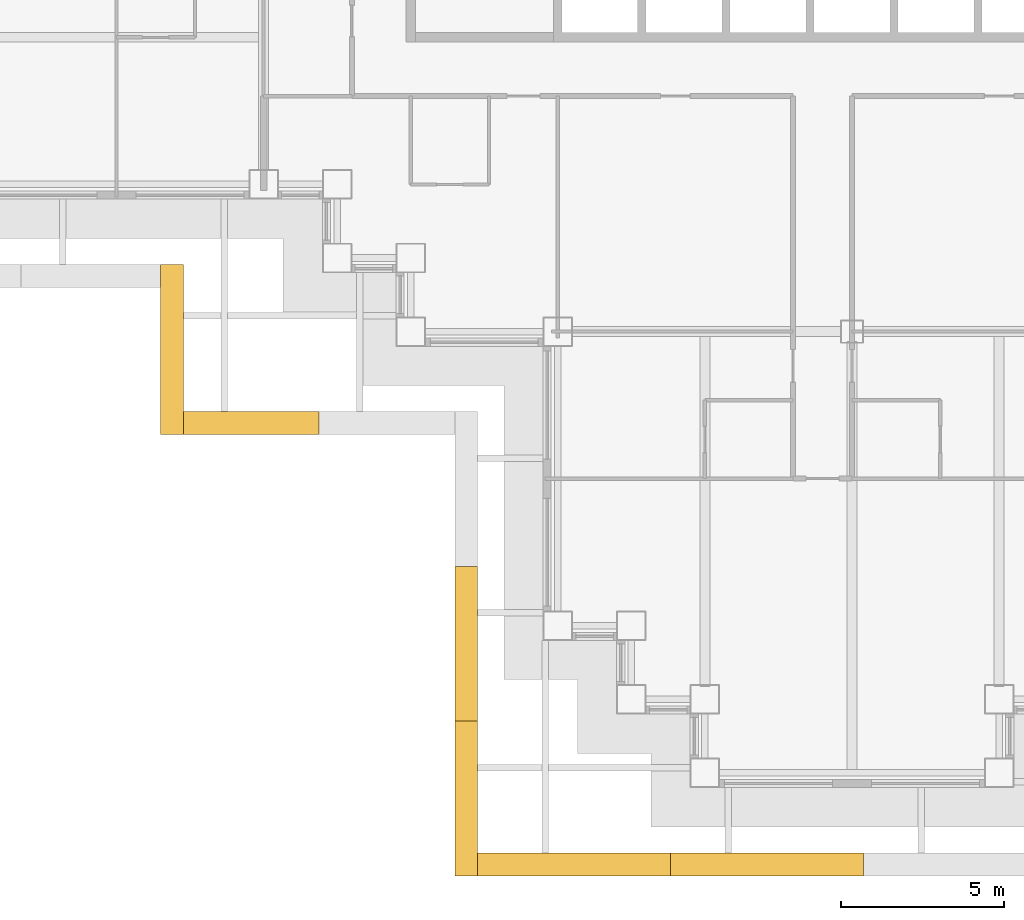
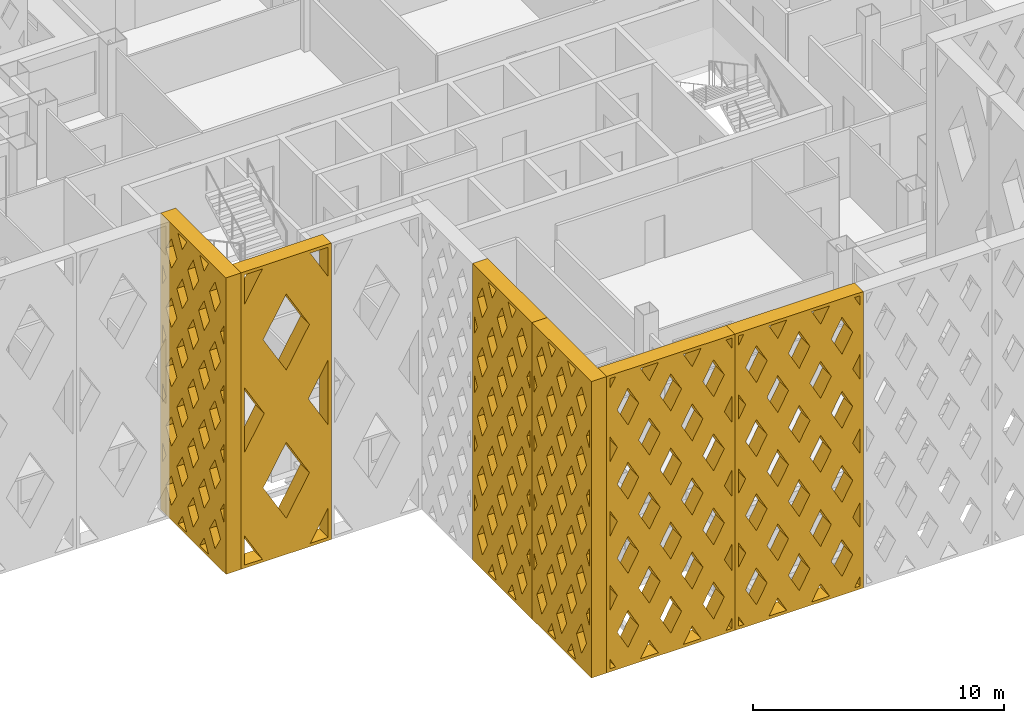
# One storey, part 13 of 21: 6 shading devices.
"""IFC4 building model written with IfcOpenShell, lengths in metres."""

from ifc_helpers import new_model, si_unit, direction, frame, origin, place, context, subcontext, project, spatial, polyline, outline, extrude, material, type_object, element, save


model = new_model("IFC4")

# Units and contexts
model_context = context("Model", 3, precision=1e-05, world=origin(), true_north=direction((0.0, 1.0)))
body_context = subcontext(model_context, "Body", "Model", "MODEL_VIEW")
ifc_project = project(units=[si_unit("LENGTHUNIT", "METRE"), si_unit("AREAUNIT", "SQUARE_METRE"), si_unit("VOLUMEUNIT", "CUBIC_METRE"), si_unit("PLANEANGLEUNIT", "RADIAN"), si_unit("MASSUNIT", "GRAM", prefix="KILO")], contexts=[model_context])

# Site, building, storey
site_placement = place(None, origin())
site = spatial("IfcSite", under=ifc_project, at=site_placement, CompositionType="ELEMENT")
building_placement = place(site_placement, origin())
building = spatial("IfcBuilding", under=site, at=building_placement, Name="Caravel Reach Hotel and Residences", CompositionType="ELEMENT")
storey_placement = place(building_placement, frame((0.0, 0.0, 115.199951171875)))
storey = spatial("IfcBuildingStorey", under=building, at=storey_placement, Name="L28", CompositionType="ELEMENT", Elevation=115.199951171875)

# Shading devices
ifc_material_1 = material(Name="Black powder-coated aluminium", Category="aluminium")
shading_device_type_1 = type_object("IfcShadingDeviceType", Name="Diamond lattice screen panel 4150 x 14400", PredefinedType="USERDEFINED", material=ifc_material_1)
shading_device_1_placement = place(storey_placement, frame((11.050048828125, 11.050048828125, 0.0), z_axis=(0.0, -1.0, 0.0), x_axis=(1.0, 0.0, 0.0)))
element("IfcShadingDevice", 1, at=shading_device_1_placement, inside=storey, type_object=shading_device_type_1, Name="Lattice screen L28-L31 20.1", ObjectType="SCREEN", PredefinedType="USERDEFINED", context=body_context, shape_type="SweptSolid", body=[
    extrude(outline(polyline([(0.0, 0.0), (4.14990234375, 0.0), (4.14990234375, 14.39990234375), (0.0, 14.39990234375), (0.0, 0.0)]), holes=[polyline([(0.97802734375, 0.14990234375), (0.14990234375, 1.586669921875), (0.14990234375, 0.14990234375), (0.97802734375, 0.14990234375)]), polyline([(1.064697265625, 7.199951171875), (0.14990234375, 8.786865234375), (0.14990234375, 5.61328125), (1.064697265625, 7.199951171875)]), polyline([(0.14990234375, 12.813232421875), (0.97802734375, 14.25), (0.14990234375, 14.25), (0.14990234375, 12.813232421875)]), polyline([(2.074951171875, 5.447021484375), (1.010498046875, 3.60009765625), (2.074951171875, 1.7529296875), (3.1396484375, 3.60009765625), (2.074951171875, 5.447021484375)]), polyline([(2.074951171875, 12.64697265625), (1.010498046875, 10.800048828125), (2.074951171875, 8.953125), (3.1396484375, 10.800048828125), (2.074951171875, 12.64697265625)]), polyline([(4.0, 1.586669921875), (3.171875, 0.14990234375), (4.0, 0.14990234375), (4.0, 1.586669921875)]), polyline([(3.08544921875, 7.199951171875), (4.0, 5.61328125), (4.0, 8.786865234375), (3.08544921875, 7.199951171875)]), polyline([(3.171875, 14.25), (4.0, 12.813232421875), (4.0, 14.25), (3.171875, 14.25)])]), origin(), (0.0, 0.0, 1.0), 0.699951171875),
])
ifc_material_2 = material(Name="Black powder-coated aluminium", Category="aluminium")
shading_device_type_2 = type_object("IfcShadingDeviceType", Name="Diamond lattice screen panel 4733 x 14400", PredefinedType="USERDEFINED", material=ifc_material_2)
shading_device_2_placement = place(storey_placement, frame((20.050048828125, 6.316650390625, 0.0), z_axis=(-1.0, 0.0, 0.0), x_axis=(0.0, -1.0, 0.0)))
element("IfcShadingDevice", 2, at=shading_device_2_placement, inside=storey, type_object=shading_device_type_2, Name="Lattice screen L28-L31 1.2", ObjectType="SCREEN", PredefinedType="USERDEFINED", context=body_context, shape_type="SweptSolid", body=[
    extrude(outline(polyline([(0.0, 0.0), (4.7333984375, 0.0), (4.7333984375, 14.39990234375), (0.0, 14.39990234375), (0.0, 0.0)]), holes=[polyline([(0.39892578125, 2.8798828125), (0.14990234375, 3.334228515625), (0.14990234375, 2.42578125), (0.39892578125, 2.8798828125)]), polyline([(0.39892578125, 5.760009765625), (0.14990234375, 6.21435546875), (0.14990234375, 5.3056640625), (0.39892578125, 5.760009765625)]), polyline([(0.39892578125, 8.639892578125), (0.14990234375, 9.09423828125), (0.14990234375, 8.185791015625), (0.39892578125, 8.639892578125)]), polyline([(0.39892578125, 11.52001953125), (0.14990234375, 11.974365234375), (0.14990234375, 11.065673828125), (0.39892578125, 11.52001953125)]), polyline([(0.788818359375, 2.16796875), (0.39013671875, 1.43994140625), (0.788818359375, 0.7119140625), (1.187744140625, 1.43994140625), (0.788818359375, 2.16796875)]), polyline([(0.788818359375, 5.048095703125), (0.39013671875, 4.320068359375), (0.788818359375, 3.592041015625), (1.187744140625, 4.320068359375), (0.788818359375, 5.048095703125)]), polyline([(0.788818359375, 7.927978515625), (0.39013671875, 7.199951171875), (0.788818359375, 6.471923828125), (1.187744140625, 7.199951171875), (0.788818359375, 7.927978515625)]), polyline([(0.788818359375, 10.80810546875), (0.39013671875, 10.080078125), (0.788818359375, 9.35205078125), (1.187744140625, 10.080078125), (0.788818359375, 10.80810546875)]), polyline([(0.788818359375, 13.68798828125), (0.39013671875, 12.9599609375), (0.788818359375, 12.23193359375), (1.187744140625, 12.9599609375), (0.788818359375, 13.68798828125)]), polyline([(1.577880859375, 0.72802734375), (1.260986328125, 0.14990234375), (1.89453125, 0.14990234375), (1.577880859375, 0.72802734375)]), polyline([(1.577880859375, 3.608154296875), (1.178955078125, 2.8798828125), (1.577880859375, 2.15185546875), (1.9765625, 2.8798828125), (1.577880859375, 3.608154296875)]), polyline([(1.577880859375, 6.488037109375), (1.178955078125, 5.760009765625), (1.577880859375, 5.031982421875), (1.9765625, 5.760009765625), (1.577880859375, 6.488037109375)]), polyline([(1.577880859375, 9.3681640625), (1.178955078125, 8.639892578125), (1.577880859375, 7.911865234375), (1.9765625, 8.639892578125), (1.577880859375, 9.3681640625)]), polyline([(1.577880859375, 12.248046875), (1.178955078125, 11.52001953125), (1.577880859375, 10.7919921875), (1.9765625, 11.52001953125), (1.577880859375, 12.248046875)]), polyline([(1.577880859375, 13.671875), (1.89453125, 14.25), (1.260986328125, 14.25), (1.577880859375, 13.671875)]), polyline([(2.36669921875, 2.16796875), (1.9677734375, 1.43994140625), (2.36669921875, 0.7119140625), (2.765625, 1.43994140625), (2.36669921875, 2.16796875)]), polyline([(2.36669921875, 5.048095703125), (1.9677734375, 4.320068359375), (2.36669921875, 3.592041015625), (2.765625, 4.320068359375), (2.36669921875, 5.048095703125)]), polyline([(2.36669921875, 7.927978515625), (1.9677734375, 7.199951171875), (2.36669921875, 6.471923828125), (2.765625, 7.199951171875), (2.36669921875, 7.927978515625)]), polyline([(2.36669921875, 10.80810546875), (1.9677734375, 10.080078125), (2.36669921875, 9.35205078125), (2.765625, 10.080078125), (2.36669921875, 10.80810546875)]), polyline([(2.36669921875, 13.68798828125), (1.9677734375, 12.9599609375), (2.36669921875, 12.23193359375), (2.765625, 12.9599609375), (2.36669921875, 13.68798828125)]), polyline([(3.155517578125, 0.72802734375), (2.8388671875, 0.14990234375), (3.47216796875, 0.14990234375), (3.155517578125, 0.72802734375)]), polyline([(3.155517578125, 3.608154296875), (2.756591796875, 2.8798828125), (3.155517578125, 2.15185546875), (3.554443359375, 2.8798828125), (3.155517578125, 3.608154296875)]), polyline([(3.155517578125, 6.488037109375), (2.756591796875, 5.760009765625), (3.155517578125, 5.031982421875), (3.554443359375, 5.760009765625), (3.155517578125, 6.488037109375)]), polyline([(3.155517578125, 9.3681640625), (2.756591796875, 8.639892578125), (3.155517578125, 7.911865234375), (3.554443359375, 8.639892578125), (3.155517578125, 9.3681640625)]), polyline([(3.155517578125, 12.248046875), (2.756591796875, 11.52001953125), (3.155517578125, 10.7919921875), (3.554443359375, 11.52001953125), (3.155517578125, 12.248046875)]), polyline([(3.155517578125, 13.671875), (3.47216796875, 14.25), (2.8388671875, 14.25), (3.155517578125, 13.671875)]), polyline([(3.9443359375, 2.16796875), (3.545654296875, 1.43994140625), (3.9443359375, 0.7119140625), (4.34326171875, 1.43994140625), (3.9443359375, 2.16796875)]), polyline([(3.9443359375, 5.048095703125), (3.545654296875, 4.320068359375), (3.9443359375, 3.592041015625), (4.34326171875, 4.320068359375), (3.9443359375, 5.048095703125)]), polyline([(3.9443359375, 7.927978515625), (3.545654296875, 7.199951171875), (3.9443359375, 6.471923828125), (4.34326171875, 7.199951171875), (3.9443359375, 7.927978515625)]), polyline([(3.9443359375, 10.80810546875), (3.545654296875, 10.080078125), (3.9443359375, 9.35205078125), (4.34326171875, 10.080078125), (3.9443359375, 10.80810546875)]), polyline([(3.9443359375, 13.68798828125), (3.545654296875, 12.9599609375), (3.9443359375, 12.23193359375), (4.34326171875, 12.9599609375), (3.9443359375, 13.68798828125)]), polyline([(4.33447265625, 2.8798828125), (4.583251953125, 2.42578125), (4.583251953125, 3.334228515625), (4.33447265625, 2.8798828125)]), polyline([(4.33447265625, 5.760009765625), (4.583251953125, 5.3056640625), (4.583251953125, 6.21435546875), (4.33447265625, 5.760009765625)]), polyline([(4.33447265625, 8.639892578125), (4.583251953125, 8.185791015625), (4.583251953125, 9.09423828125), (4.33447265625, 8.639892578125)]), polyline([(4.33447265625, 11.52001953125), (4.583251953125, 11.065673828125), (4.583251953125, 11.974365234375), (4.33447265625, 11.52001953125)])]), origin(), (0.0, 0.0, 1.0), 0.699951171875),
])
shading_device_3_placement = place(storey_placement, frame((20.050048828125, 1.583251953125, 0.0), z_axis=(-1.0, 0.0, 0.0), x_axis=(0.0, -1.0, 0.0)))
element("IfcShadingDevice", 3, at=shading_device_3_placement, inside=storey, type_object=shading_device_type_2, Name="Lattice screen L28-L31 1.3", ObjectType="SCREEN", PredefinedType="USERDEFINED", context=body_context, shape_type="SweptSolid", body=[
    extrude(outline(polyline([(0.0, 0.0), (4.7333984375, 0.0), (4.7333984375, 14.39990234375), (0.0, 14.39990234375), (0.0, 0.0)]), holes=[polyline([(0.39892578125, 2.8798828125), (0.14990234375, 3.334228515625), (0.14990234375, 2.42578125), (0.39892578125, 2.8798828125)]), polyline([(0.39892578125, 5.760009765625), (0.14990234375, 6.21435546875), (0.14990234375, 5.3056640625), (0.39892578125, 5.760009765625)]), polyline([(0.39892578125, 8.639892578125), (0.14990234375, 9.09423828125), (0.14990234375, 8.185791015625), (0.39892578125, 8.639892578125)]), polyline([(0.39892578125, 11.52001953125), (0.14990234375, 11.974365234375), (0.14990234375, 11.065673828125), (0.39892578125, 11.52001953125)]), polyline([(0.788818359375, 2.16796875), (0.39013671875, 1.43994140625), (0.788818359375, 0.7119140625), (1.187744140625, 1.43994140625), (0.788818359375, 2.16796875)]), polyline([(0.788818359375, 5.048095703125), (0.39013671875, 4.320068359375), (0.788818359375, 3.592041015625), (1.187744140625, 4.320068359375), (0.788818359375, 5.048095703125)]), polyline([(0.788818359375, 7.927978515625), (0.39013671875, 7.199951171875), (0.788818359375, 6.471923828125), (1.187744140625, 7.199951171875), (0.788818359375, 7.927978515625)]), polyline([(0.788818359375, 10.80810546875), (0.39013671875, 10.080078125), (0.788818359375, 9.35205078125), (1.187744140625, 10.080078125), (0.788818359375, 10.80810546875)]), polyline([(0.788818359375, 13.68798828125), (0.39013671875, 12.9599609375), (0.788818359375, 12.23193359375), (1.187744140625, 12.9599609375), (0.788818359375, 13.68798828125)]), polyline([(1.577880859375, 0.72802734375), (1.260986328125, 0.14990234375), (1.89453125, 0.14990234375), (1.577880859375, 0.72802734375)]), polyline([(1.577880859375, 3.608154296875), (1.178955078125, 2.8798828125), (1.577880859375, 2.15185546875), (1.9765625, 2.8798828125), (1.577880859375, 3.608154296875)]), polyline([(1.577880859375, 6.488037109375), (1.178955078125, 5.760009765625), (1.577880859375, 5.031982421875), (1.9765625, 5.760009765625), (1.577880859375, 6.488037109375)]), polyline([(1.577880859375, 9.3681640625), (1.178955078125, 8.639892578125), (1.577880859375, 7.911865234375), (1.9765625, 8.639892578125), (1.577880859375, 9.3681640625)]), polyline([(1.577880859375, 12.248046875), (1.178955078125, 11.52001953125), (1.577880859375, 10.7919921875), (1.9765625, 11.52001953125), (1.577880859375, 12.248046875)]), polyline([(1.577880859375, 13.671875), (1.89453125, 14.25), (1.260986328125, 14.25), (1.577880859375, 13.671875)]), polyline([(2.36669921875, 2.16796875), (1.9677734375, 1.43994140625), (2.36669921875, 0.7119140625), (2.765625, 1.43994140625), (2.36669921875, 2.16796875)]), polyline([(2.36669921875, 5.048095703125), (1.9677734375, 4.320068359375), (2.36669921875, 3.592041015625), (2.765625, 4.320068359375), (2.36669921875, 5.048095703125)]), polyline([(2.36669921875, 7.927978515625), (1.9677734375, 7.199951171875), (2.36669921875, 6.471923828125), (2.765625, 7.199951171875), (2.36669921875, 7.927978515625)]), polyline([(2.36669921875, 10.80810546875), (1.9677734375, 10.080078125), (2.36669921875, 9.35205078125), (2.765625, 10.080078125), (2.36669921875, 10.80810546875)]), polyline([(2.36669921875, 13.68798828125), (1.9677734375, 12.9599609375), (2.36669921875, 12.23193359375), (2.765625, 12.9599609375), (2.36669921875, 13.68798828125)]), polyline([(3.155517578125, 0.72802734375), (2.8388671875, 0.14990234375), (3.47216796875, 0.14990234375), (3.155517578125, 0.72802734375)]), polyline([(3.155517578125, 3.608154296875), (2.756591796875, 2.8798828125), (3.155517578125, 2.15185546875), (3.554443359375, 2.8798828125), (3.155517578125, 3.608154296875)]), polyline([(3.155517578125, 6.488037109375), (2.756591796875, 5.760009765625), (3.155517578125, 5.031982421875), (3.554443359375, 5.760009765625), (3.155517578125, 6.488037109375)]), polyline([(3.155517578125, 9.3681640625), (2.756591796875, 8.639892578125), (3.155517578125, 7.911865234375), (3.554443359375, 8.639892578125), (3.155517578125, 9.3681640625)]), polyline([(3.155517578125, 12.248046875), (2.756591796875, 11.52001953125), (3.155517578125, 10.7919921875), (3.554443359375, 11.52001953125), (3.155517578125, 12.248046875)]), polyline([(3.155517578125, 13.671875), (3.47216796875, 14.25), (2.8388671875, 14.25), (3.155517578125, 13.671875)]), polyline([(3.9443359375, 2.16796875), (3.545654296875, 1.43994140625), (3.9443359375, 0.7119140625), (4.34326171875, 1.43994140625), (3.9443359375, 2.16796875)]), polyline([(3.9443359375, 5.048095703125), (3.545654296875, 4.320068359375), (3.9443359375, 3.592041015625), (4.34326171875, 4.320068359375), (3.9443359375, 5.048095703125)]), polyline([(3.9443359375, 7.927978515625), (3.545654296875, 7.199951171875), (3.9443359375, 6.471923828125), (4.34326171875, 7.199951171875), (3.9443359375, 7.927978515625)]), polyline([(3.9443359375, 10.80810546875), (3.545654296875, 10.080078125), (3.9443359375, 9.35205078125), (4.34326171875, 10.080078125), (3.9443359375, 10.80810546875)]), polyline([(3.9443359375, 13.68798828125), (3.545654296875, 12.9599609375), (3.9443359375, 12.23193359375), (4.34326171875, 12.9599609375), (3.9443359375, 13.68798828125)]), polyline([(4.33447265625, 2.8798828125), (4.583251953125, 2.42578125), (4.583251953125, 3.334228515625), (4.33447265625, 2.8798828125)]), polyline([(4.33447265625, 5.760009765625), (4.583251953125, 5.3056640625), (4.583251953125, 6.21435546875), (4.33447265625, 5.760009765625)]), polyline([(4.33447265625, 8.639892578125), (4.583251953125, 8.185791015625), (4.583251953125, 9.09423828125), (4.33447265625, 8.639892578125)]), polyline([(4.33447265625, 11.52001953125), (4.583251953125, 11.065673828125), (4.583251953125, 11.974365234375), (4.33447265625, 11.52001953125)])]), origin(), (0.0, 0.0, 1.0), 0.699951171875),
])
ifc_material_3 = material(Name="Black powder-coated aluminium", Category="aluminium")
shading_device_type_3 = type_object("IfcShadingDeviceType", Name="Diamond lattice screen panel 5200 x 14400", PredefinedType="USERDEFINED", material=ifc_material_3)
shading_device_4_placement = place(storey_placement, frame((11.050048828125, 15.550048828125, 0.0), z_axis=(-1.0, 0.0, 0.0), x_axis=(0.0, -1.0, 0.0)))
element("IfcShadingDevice", 4, at=shading_device_4_placement, inside=storey, type_object=shading_device_type_3, Name="Lattice screen L28-L31 19.1", ObjectType="SCREEN", PredefinedType="USERDEFINED", context=body_context, shape_type="SweptSolid", body=[
    extrude(outline(polyline([(0.0, 0.0), (5.199951171875, 0.0), (5.199951171875, 14.39990234375), (0.0, 14.39990234375), (0.0, 0.0)]), holes=[polyline([(0.436767578125, 2.8798828125), (0.14990234375, 3.3564453125), (0.14990234375, 2.403564453125), (0.436767578125, 2.8798828125)]), polyline([(0.436767578125, 5.760009765625), (0.14990234375, 6.236572265625), (0.14990234375, 5.283447265625), (0.436767578125, 5.760009765625)]), polyline([(0.436767578125, 8.639892578125), (0.14990234375, 9.116455078125), (0.14990234375, 8.16357421875), (0.436767578125, 8.639892578125)]), polyline([(0.436767578125, 11.52001953125), (0.14990234375, 11.99658203125), (0.14990234375, 11.04345703125), (0.436767578125, 11.52001953125)]), polyline([(0.86669921875, 2.165771484375), (0.429931640625, 1.43994140625), (0.86669921875, 0.71435546875), (1.303466796875, 1.43994140625), (0.86669921875, 2.165771484375)]), polyline([(0.86669921875, 5.045654296875), (0.429931640625, 4.320068359375), (0.86669921875, 3.59423828125), (1.303466796875, 4.320068359375), (0.86669921875, 5.045654296875)]), polyline([(0.86669921875, 7.92578125), (0.429931640625, 7.199951171875), (0.86669921875, 6.474365234375), (1.303466796875, 7.199951171875), (0.86669921875, 7.92578125)]), polyline([(0.86669921875, 10.8056640625), (0.429931640625, 10.080078125), (0.86669921875, 9.354248046875), (1.303466796875, 10.080078125), (0.86669921875, 10.8056640625)]), polyline([(0.86669921875, 13.685791015625), (0.429931640625, 12.9599609375), (0.86669921875, 12.234130859375), (1.303466796875, 12.9599609375), (0.86669921875, 13.685791015625)]), polyline([(1.7333984375, 0.725830078125), (1.38671875, 0.14990234375), (2.079833984375, 0.14990234375), (1.7333984375, 0.725830078125)]), polyline([(1.7333984375, 3.605712890625), (1.296630859375, 2.8798828125), (1.7333984375, 2.154296875), (2.170166015625, 2.8798828125), (1.7333984375, 3.605712890625)]), polyline([(1.7333984375, 6.48583984375), (1.296630859375, 5.760009765625), (1.7333984375, 5.0341796875), (2.170166015625, 5.760009765625), (1.7333984375, 6.48583984375)]), polyline([(1.7333984375, 9.36572265625), (1.296630859375, 8.639892578125), (1.7333984375, 7.914306640625), (2.170166015625, 8.639892578125), (1.7333984375, 9.36572265625)]), polyline([(1.7333984375, 12.245849609375), (1.296630859375, 11.52001953125), (1.7333984375, 10.794189453125), (2.170166015625, 11.52001953125), (1.7333984375, 12.245849609375)]), polyline([(1.7333984375, 13.67431640625), (2.079833984375, 14.25), (1.38671875, 14.25), (1.7333984375, 13.67431640625)]), polyline([(2.60009765625, 2.165771484375), (2.1630859375, 1.43994140625), (2.60009765625, 0.71435546875), (3.036865234375, 1.43994140625), (2.60009765625, 2.165771484375)]), polyline([(2.60009765625, 5.045654296875), (2.1630859375, 4.320068359375), (2.60009765625, 3.59423828125), (3.036865234375, 4.320068359375), (2.60009765625, 5.045654296875)]), polyline([(2.60009765625, 7.92578125), (2.1630859375, 7.199951171875), (2.60009765625, 6.474365234375), (3.036865234375, 7.199951171875), (2.60009765625, 7.92578125)]), polyline([(2.60009765625, 10.8056640625), (2.1630859375, 10.080078125), (2.60009765625, 9.354248046875), (3.036865234375, 10.080078125), (2.60009765625, 10.8056640625)]), polyline([(2.60009765625, 13.685791015625), (2.1630859375, 12.9599609375), (2.60009765625, 12.234130859375), (3.036865234375, 12.9599609375), (2.60009765625, 13.685791015625)]), polyline([(3.466552734375, 0.725830078125), (3.1201171875, 0.14990234375), (3.813232421875, 0.14990234375), (3.466552734375, 0.725830078125)]), polyline([(3.466552734375, 3.605712890625), (3.02978515625, 2.8798828125), (3.466552734375, 2.154296875), (3.903564453125, 2.8798828125), (3.466552734375, 3.605712890625)]), polyline([(3.466552734375, 6.48583984375), (3.02978515625, 5.760009765625), (3.466552734375, 5.0341796875), (3.903564453125, 5.760009765625), (3.466552734375, 6.48583984375)]), polyline([(3.466552734375, 9.36572265625), (3.02978515625, 8.639892578125), (3.466552734375, 7.914306640625), (3.903564453125, 8.639892578125), (3.466552734375, 9.36572265625)]), polyline([(3.466552734375, 12.245849609375), (3.02978515625, 11.52001953125), (3.466552734375, 10.794189453125), (3.903564453125, 11.52001953125), (3.466552734375, 12.245849609375)]), polyline([(3.466552734375, 13.67431640625), (3.813232421875, 14.25), (3.1201171875, 14.25), (3.466552734375, 13.67431640625)]), polyline([(4.333251953125, 2.165771484375), (3.896484375, 1.43994140625), (4.333251953125, 0.71435546875), (4.77001953125, 1.43994140625), (4.333251953125, 2.165771484375)]), polyline([(4.333251953125, 5.045654296875), (3.896484375, 4.320068359375), (4.333251953125, 3.59423828125), (4.77001953125, 4.320068359375), (4.333251953125, 5.045654296875)]), polyline([(4.333251953125, 7.92578125), (3.896484375, 7.199951171875), (4.333251953125, 6.474365234375), (4.77001953125, 7.199951171875), (4.333251953125, 7.92578125)]), polyline([(4.333251953125, 10.8056640625), (3.896484375, 10.080078125), (4.333251953125, 9.354248046875), (4.77001953125, 10.080078125), (4.333251953125, 10.8056640625)]), polyline([(4.333251953125, 13.685791015625), (3.896484375, 12.9599609375), (4.333251953125, 12.234130859375), (4.77001953125, 12.9599609375), (4.333251953125, 13.685791015625)]), polyline([(4.76318359375, 2.8798828125), (5.050048828125, 2.403564453125), (5.050048828125, 3.3564453125), (4.76318359375, 2.8798828125)]), polyline([(4.76318359375, 5.760009765625), (5.050048828125, 5.283447265625), (5.050048828125, 6.236572265625), (4.76318359375, 5.760009765625)]), polyline([(4.76318359375, 8.639892578125), (5.050048828125, 8.16357421875), (5.050048828125, 9.116455078125), (4.76318359375, 8.639892578125)]), polyline([(4.76318359375, 11.52001953125), (5.050048828125, 11.04345703125), (5.050048828125, 11.99658203125), (4.76318359375, 11.52001953125)])]), origin(), (0.0, 0.0, 1.0), 0.699951171875),
])
ifc_material_4 = material(Name="Black powder-coated aluminium", Category="aluminium")
shading_device_type_4 = type_object("IfcShadingDeviceType", Name="Diamond lattice screen panel 5900 x 14400", PredefinedType="USERDEFINED", material=ifc_material_4)
shading_device_5_placement = place(storey_placement, frame((20.050048828125, -2.449951171875, 0.0), z_axis=(0.0, -1.0, 0.0), x_axis=(1.0, 0.0, 0.0)))
element("IfcShadingDevice", 5, at=shading_device_5_placement, inside=storey, type_object=shading_device_type_4, Name="Lattice screen L28-L31 2.1", ObjectType="SCREEN", PredefinedType="USERDEFINED", context=body_context, shape_type="SweptSolid", body=[
    extrude(outline(polyline([(0.0, 0.0), (5.89990234375, 0.0), (5.89990234375, 14.39990234375), (0.0, 14.39990234375), (0.0, 0.0)]), holes=[polyline([(0.40966796875, 0.14990234375), (0.14990234375, 0.62548828125), (0.14990234375, 0.14990234375), (0.40966796875, 0.14990234375)]), polyline([(0.49169921875, 3.60009765625), (0.14990234375, 4.2255859375), (0.14990234375, 2.974609375), (0.49169921875, 3.60009765625)]), polyline([(0.49169921875, 7.199951171875), (0.14990234375, 7.825439453125), (0.14990234375, 6.574462890625), (0.49169921875, 7.199951171875)]), polyline([(0.49169921875, 10.800048828125), (0.14990234375, 11.425537109375), (0.14990234375, 10.174560546875), (0.49169921875, 10.800048828125)]), polyline([(0.14990234375, 13.7744140625), (0.40966796875, 14.25), (0.14990234375, 14.25), (0.14990234375, 13.7744140625)]), polyline([(0.9833984375, 2.699951171875), (0.49169921875, 1.800048828125), (0.9833984375, 0.89990234375), (1.47509765625, 1.800048828125), (0.9833984375, 2.699951171875)]), polyline([(0.9833984375, 6.300048828125), (0.49169921875, 5.39990234375), (0.9833984375, 4.5), (1.47509765625, 5.39990234375), (0.9833984375, 6.300048828125)]), polyline([(0.9833984375, 9.900146484375), (0.49169921875, 9.0), (0.9833984375, 8.099853515625), (1.47509765625, 9.0), (0.9833984375, 9.900146484375)]), polyline([(0.9833984375, 13.5), (0.49169921875, 12.60009765625), (0.9833984375, 11.699951171875), (1.47509765625, 12.60009765625), (0.9833984375, 13.5)]), polyline([(1.966552734375, 0.900146484375), (1.556884765625, 0.14990234375), (2.37646484375, 0.14990234375), (1.966552734375, 0.900146484375)]), polyline([(1.966552734375, 4.5), (1.474853515625, 3.60009765625), (1.966552734375, 2.699951171875), (2.458251953125, 3.60009765625), (1.966552734375, 4.5)]), polyline([(1.966552734375, 8.10009765625), (1.474853515625, 7.199951171875), (1.966552734375, 6.300048828125), (2.458251953125, 7.199951171875), (1.966552734375, 8.10009765625)]), polyline([(1.966552734375, 11.699951171875), (1.474853515625, 10.800048828125), (1.966552734375, 9.89990234375), (2.458251953125, 10.800048828125), (1.966552734375, 11.699951171875)]), polyline([(1.966552734375, 13.5), (2.37646484375, 14.25), (1.556884765625, 14.25), (1.966552734375, 13.5)]), polyline([(2.949951171875, 2.699951171875), (2.458251953125, 1.800048828125), (2.949951171875, 0.89990234375), (3.441650390625, 1.800048828125), (2.949951171875, 2.699951171875)]), polyline([(2.949951171875, 6.300048828125), (2.458251953125, 5.39990234375), (2.949951171875, 4.5), (3.441650390625, 5.39990234375), (2.949951171875, 6.300048828125)]), polyline([(2.949951171875, 9.900146484375), (2.458251953125, 9.0), (2.949951171875, 8.099853515625), (3.441650390625, 9.0), (2.949951171875, 9.900146484375)]), polyline([(2.949951171875, 13.5), (2.458251953125, 12.60009765625), (2.949951171875, 11.699951171875), (3.441650390625, 12.60009765625), (2.949951171875, 13.5)]), polyline([(3.933349609375, 0.900146484375), (3.523681640625, 0.14990234375), (4.343017578125, 0.14990234375), (3.933349609375, 0.900146484375)]), polyline([(3.933349609375, 4.5), (3.441650390625, 3.60009765625), (3.933349609375, 2.699951171875), (4.425048828125, 3.60009765625), (3.933349609375, 4.5)]), polyline([(3.933349609375, 8.10009765625), (3.441650390625, 7.199951171875), (3.933349609375, 6.300048828125), (4.425048828125, 7.199951171875), (3.933349609375, 8.10009765625)]), polyline([(3.933349609375, 11.699951171875), (3.441650390625, 10.800048828125), (3.933349609375, 9.89990234375), (4.425048828125, 10.800048828125), (3.933349609375, 11.699951171875)]), polyline([(3.933349609375, 13.5), (4.343017578125, 14.25), (3.523681640625, 14.25), (3.933349609375, 13.5)]), polyline([(4.916748046875, 2.699951171875), (4.425048828125, 1.800048828125), (4.916748046875, 0.89990234375), (5.408447265625, 1.800048828125), (4.916748046875, 2.699951171875)]), polyline([(4.916748046875, 6.300048828125), (4.425048828125, 5.39990234375), (4.916748046875, 4.5), (5.408447265625, 5.39990234375), (4.916748046875, 6.300048828125)]), polyline([(4.916748046875, 9.900146484375), (4.425048828125, 9.0), (4.916748046875, 8.099853515625), (5.408447265625, 9.0), (4.916748046875, 9.900146484375)]), polyline([(4.916748046875, 13.5), (4.425048828125, 12.60009765625), (4.916748046875, 11.699951171875), (5.408447265625, 12.60009765625), (4.916748046875, 13.5)]), polyline([(5.75, 0.62548828125), (5.490234375, 0.14990234375), (5.75, 0.14990234375), (5.75, 0.62548828125)]), polyline([(5.408203125, 3.60009765625), (5.75, 2.974609375), (5.75, 4.2255859375), (5.408203125, 3.60009765625)]), polyline([(5.408203125, 7.199951171875), (5.75, 6.574462890625), (5.75, 7.825439453125), (5.408203125, 7.199951171875)]), polyline([(5.408203125, 10.800048828125), (5.75, 10.174560546875), (5.75, 11.425537109375), (5.408203125, 10.800048828125)]), polyline([(5.490234375, 14.25), (5.75, 13.7744140625), (5.75, 14.25), (5.490234375, 14.25)])]), origin(), (0.0, 0.0, 1.0), 0.699951171875),
])
shading_device_6_placement = place(storey_placement, frame((25.949951171875, -2.449951171875, 0.0), z_axis=(0.0, -1.0, 0.0), x_axis=(1.0, 0.0, 0.0)))
element("IfcShadingDevice", 6, at=shading_device_6_placement, inside=storey, type_object=shading_device_type_4, Name="Lattice screen L28-L31 2.2", ObjectType="SCREEN", PredefinedType="USERDEFINED", context=body_context, shape_type="SweptSolid", body=[
    extrude(outline(polyline([(0.0, 0.0), (5.89990234375, 0.0), (5.89990234375, 14.39990234375), (0.0, 14.39990234375), (0.0, 0.0)]), holes=[polyline([(0.40966796875, 0.14990234375), (0.14990234375, 0.62548828125), (0.14990234375, 0.14990234375), (0.40966796875, 0.14990234375)]), polyline([(0.49169921875, 3.60009765625), (0.14990234375, 4.2255859375), (0.14990234375, 2.974609375), (0.49169921875, 3.60009765625)]), polyline([(0.49169921875, 7.199951171875), (0.14990234375, 7.825439453125), (0.14990234375, 6.574462890625), (0.49169921875, 7.199951171875)]), polyline([(0.49169921875, 10.800048828125), (0.14990234375, 11.425537109375), (0.14990234375, 10.174560546875), (0.49169921875, 10.800048828125)]), polyline([(0.14990234375, 13.7744140625), (0.40966796875, 14.25), (0.14990234375, 14.25), (0.14990234375, 13.7744140625)]), polyline([(0.9833984375, 2.699951171875), (0.49169921875, 1.800048828125), (0.9833984375, 0.89990234375), (1.47509765625, 1.800048828125), (0.9833984375, 2.699951171875)]), polyline([(0.9833984375, 6.300048828125), (0.49169921875, 5.39990234375), (0.9833984375, 4.5), (1.47509765625, 5.39990234375), (0.9833984375, 6.300048828125)]), polyline([(0.9833984375, 9.900146484375), (0.49169921875, 9.0), (0.9833984375, 8.099853515625), (1.47509765625, 9.0), (0.9833984375, 9.900146484375)]), polyline([(0.9833984375, 13.5), (0.49169921875, 12.60009765625), (0.9833984375, 11.699951171875), (1.47509765625, 12.60009765625), (0.9833984375, 13.5)]), polyline([(1.966552734375, 0.900146484375), (1.556884765625, 0.14990234375), (2.37646484375, 0.14990234375), (1.966552734375, 0.900146484375)]), polyline([(1.966552734375, 4.5), (1.474853515625, 3.60009765625), (1.966552734375, 2.699951171875), (2.458251953125, 3.60009765625), (1.966552734375, 4.5)]), polyline([(1.966552734375, 8.10009765625), (1.474853515625, 7.199951171875), (1.966552734375, 6.300048828125), (2.458251953125, 7.199951171875), (1.966552734375, 8.10009765625)]), polyline([(1.966552734375, 11.699951171875), (1.474853515625, 10.800048828125), (1.966552734375, 9.89990234375), (2.458251953125, 10.800048828125), (1.966552734375, 11.699951171875)]), polyline([(1.966552734375, 13.5), (2.37646484375, 14.25), (1.556884765625, 14.25), (1.966552734375, 13.5)]), polyline([(2.949951171875, 2.699951171875), (2.458251953125, 1.800048828125), (2.949951171875, 0.89990234375), (3.441650390625, 1.800048828125), (2.949951171875, 2.699951171875)]), polyline([(2.949951171875, 6.300048828125), (2.458251953125, 5.39990234375), (2.949951171875, 4.5), (3.441650390625, 5.39990234375), (2.949951171875, 6.300048828125)]), polyline([(2.949951171875, 9.900146484375), (2.458251953125, 9.0), (2.949951171875, 8.099853515625), (3.441650390625, 9.0), (2.949951171875, 9.900146484375)]), polyline([(2.949951171875, 13.5), (2.458251953125, 12.60009765625), (2.949951171875, 11.699951171875), (3.441650390625, 12.60009765625), (2.949951171875, 13.5)]), polyline([(3.933349609375, 0.900146484375), (3.523681640625, 0.14990234375), (4.343017578125, 0.14990234375), (3.933349609375, 0.900146484375)]), polyline([(3.933349609375, 4.5), (3.441650390625, 3.60009765625), (3.933349609375, 2.699951171875), (4.425048828125, 3.60009765625), (3.933349609375, 4.5)]), polyline([(3.933349609375, 8.10009765625), (3.441650390625, 7.199951171875), (3.933349609375, 6.300048828125), (4.425048828125, 7.199951171875), (3.933349609375, 8.10009765625)]), polyline([(3.933349609375, 11.699951171875), (3.441650390625, 10.800048828125), (3.933349609375, 9.89990234375), (4.425048828125, 10.800048828125), (3.933349609375, 11.699951171875)]), polyline([(3.933349609375, 13.5), (4.343017578125, 14.25), (3.523681640625, 14.25), (3.933349609375, 13.5)]), polyline([(4.916748046875, 2.699951171875), (4.425048828125, 1.800048828125), (4.916748046875, 0.89990234375), (5.408447265625, 1.800048828125), (4.916748046875, 2.699951171875)]), polyline([(4.916748046875, 6.300048828125), (4.425048828125, 5.39990234375), (4.916748046875, 4.5), (5.408447265625, 5.39990234375), (4.916748046875, 6.300048828125)]), polyline([(4.916748046875, 9.900146484375), (4.425048828125, 9.0), (4.916748046875, 8.099853515625), (5.408447265625, 9.0), (4.916748046875, 9.900146484375)]), polyline([(4.916748046875, 13.5), (4.425048828125, 12.60009765625), (4.916748046875, 11.699951171875), (5.408447265625, 12.60009765625), (4.916748046875, 13.5)]), polyline([(5.75, 0.62548828125), (5.490234375, 0.14990234375), (5.75, 0.14990234375), (5.75, 0.62548828125)]), polyline([(5.408203125, 3.60009765625), (5.75, 2.974609375), (5.75, 4.2255859375), (5.408203125, 3.60009765625)]), polyline([(5.408203125, 7.199951171875), (5.75, 6.574462890625), (5.75, 7.825439453125), (5.408203125, 7.199951171875)]), polyline([(5.408203125, 10.800048828125), (5.75, 10.174560546875), (5.75, 11.425537109375), (5.408203125, 10.800048828125)]), polyline([(5.490234375, 14.25), (5.75, 13.7744140625), (5.75, 14.25), (5.490234375, 14.25)])]), origin(), (0.0, 0.0, 1.0), 0.699951171875),
])

save(model, "model.ifc")
